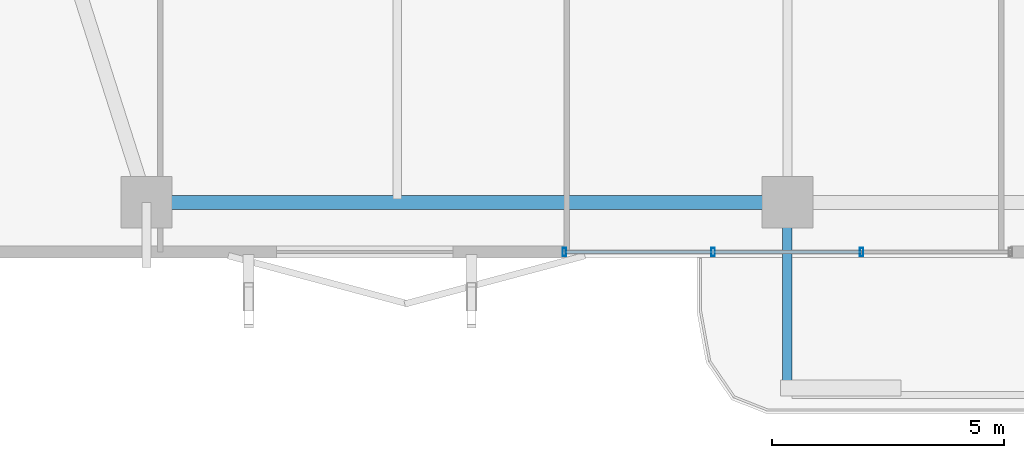
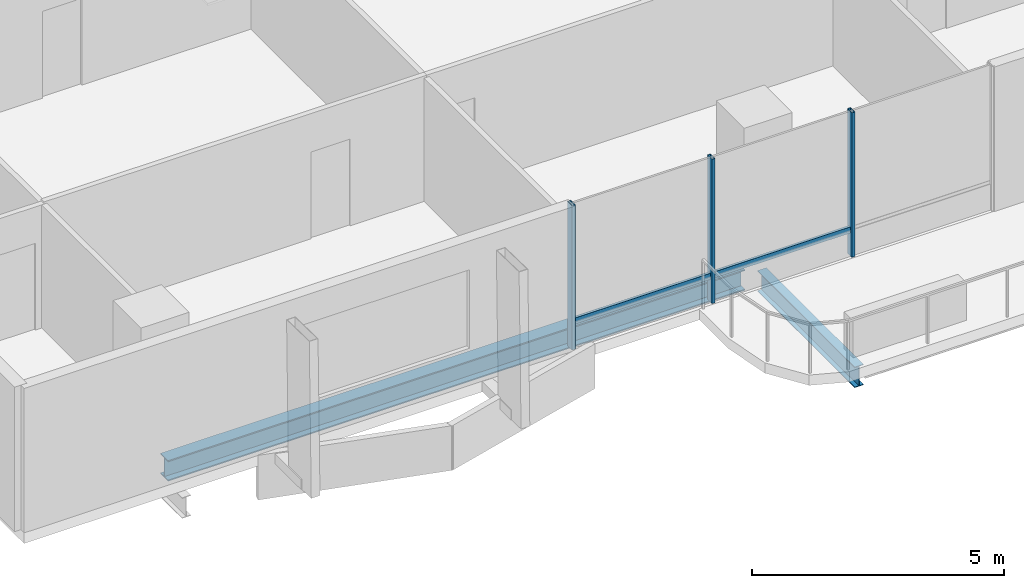
# One storey, part 2 of 24: 5 members, 2 beams, 1 element without a shape of its own.
"""IFC4 building model written with IfcOpenShell, lengths in metres."""

import ifcopenshell
import ifcopenshell.guid

model = None  # the IFC model being written
_history = None  # IfcOwnerHistory: only IFC2X3 demands one
_inside = {}  # id of a spatial element -> (the spatial element, [elements in it])
_under = {}  # id of a project, library or spatial element -> (it, [spatial elements below it])
_declared = {}  # id of a project -> (the project, [libraries it declares])
_typed = {}  # id of a type object -> (the type object, [elements of that type])
_made_of = {}  # id of a material, layer set ... -> (it, [elements and type objects made of it])


def new_model(schema):
    """Start an empty IFC model of exactly this schema.

    Asked for "IFC4X3", IfcOpenShell would pick the latest addendum, in which some entities
    have other attributes; the version numbers below select the first issue.
    IFC2X3 requires an IfcOwnerHistory on every rooted entity: one is made here for all.
    """
    global model, _history
    if schema == "IFC4X3":
        model = ifcopenshell.file(schema_version=(4, 3, 0, 0))
    else:
        model = ifcopenshell.file(schema=schema)
    _inside.clear()
    _under.clear()
    _declared.clear()
    _typed.clear()
    _made_of.clear()
    _history = None
    if model.schema == "IFC2X3":
        org = make("IfcOrganization", Name="unknown")
        user = make(
            "IfcPersonAndOrganization",
            ThePerson=make("IfcPerson", FamilyName="unknown"),
            TheOrganization=org,
        )
        app = make(
            "IfcApplication",
            ApplicationDeveloper=org,
            Version="unknown",
            ApplicationFullName="unknown",
            ApplicationIdentifier="unknown",
        )
        _history = make(
            "IfcOwnerHistory",
            OwningUser=user,
            OwningApplication=app,
            ChangeAction="ADDED",
            CreationDate=0,
        )
    return model


def make(cls, **values):
    """One entity of the class cls with the attributes given. An attribute that is None is left unset."""
    return model.create_entity(
        cls, **{name: value for name, value in values.items() if value is not None}
    )


def rooted(cls, **values):
    """An entity with a GlobalId (a new one), such as an element, a storey or a relation."""
    return make(cls, GlobalId=ifcopenshell.guid.new(), OwnerHistory=_history, **values)


def si_unit(unit_type, name, prefix=None):
    """IfcSIUnit, for example si_unit("LENGTHUNIT", "METRE", prefix="MILLI")."""
    return make("IfcSIUnit", UnitType=unit_type, Prefix=prefix, Name=name)


def assignment(units):
    """IfcUnitAssignment: the units of a project."""
    return None if units is None else make("IfcUnitAssignment", Units=units)


def point(xyz):
    """IfcCartesianPoint."""
    return None if xyz is None else make("IfcCartesianPoint", Coordinates=xyz)


def direction(xyz):
    """IfcDirection."""
    return None if xyz is None else make("IfcDirection", DirectionRatios=xyz)


def frame(location, z_axis=None, x_axis=None):
    """IfcAxis2Placement3D, a coordinate frame: its origin and axes. An axis left out is left unset."""
    return make(
        "IfcAxis2Placement3D",
        Location=point(location),
        Axis=direction(z_axis),
        RefDirection=direction(x_axis),
    )


def frame_2d(location, x_axis=None):
    """IfcAxis2Placement2D, a coordinate frame in the plane: its origin and x axis."""
    return make(
        "IfcAxis2Placement2D", Location=point(location), RefDirection=direction(x_axis)
    )


def origin():
    """The frame at (0, 0, 0) with its axes left unset."""
    return frame((0.0, 0.0, 0.0))


def origin_2d():
    """The frame at (0, 0) in the plane with its x axis left unset."""
    return frame_2d((0.0, 0.0))


def place(relative_to, where):
    """IfcLocalPlacement: puts the frame where relative to a parent placement (None: the world)."""
    return make(
        "IfcLocalPlacement", PlacementRelTo=relative_to, RelativePlacement=where
    )


def context(
    kind, dimensions, precision=None, world=None, true_north=None, identifier=None
):
    """IfcGeometricRepresentationContext, for example the 3D "Model" context."""
    return make(
        "IfcGeometricRepresentationContext",
        ContextIdentifier=identifier,
        ContextType=kind,
        CoordinateSpaceDimension=dimensions,
        Precision=precision,
        WorldCoordinateSystem=world,
        TrueNorth=true_north,
    )


def subcontext(parent, identifier, kind, view, scale=None):
    """IfcGeometricRepresentationSubContext, for example "Body" below "Model"."""
    return make(
        "IfcGeometricRepresentationSubContext",
        ContextIdentifier=identifier,
        ContextType=kind,
        ParentContext=parent,
        TargetScale=scale,
        TargetView=view,
    )


def project(units=None, contexts=None):
    """IfcProject with its units and contexts."""
    return rooted(
        "IfcProject",
        Name="project",
        RepresentationContexts=contexts,
        UnitsInContext=assignment(units),
    )


def spatial(cls, under=None, at=None, **own):
    """A site, building, storey or space (cls), placed at a placement, below another one or the project."""
    s = rooted(cls, ObjectPlacement=at, **own)
    if under is not None:
        _under.setdefault(under.id(), (under, []))[1].append(s)
    return s


def profile(cls, at=None, kind="AREA", **sizes):
    """A parametric profile (cls). Its sizes go by their IFC names, for example OverallWidth=200.0."""
    return make(cls, ProfileType=kind, Position=at, **sizes)


def hollow_rectangle(**sizes):
    """IfcRectangleHollowProfileDef."""
    return profile("IfcRectangleHollowProfileDef", **sizes)


def i_section(**sizes):
    """IfcIShapeProfileDef."""
    return profile("IfcIShapeProfileDef", **sizes)


def extrude(swept, where, along, depth):
    """IfcExtrudedAreaSolid: the profile swept, set in the frame where, extruded along a direction by depth."""
    return make(
        "IfcExtrudedAreaSolid",
        SweptArea=swept,
        Position=where,
        ExtrudedDirection=direction(along),
        Depth=depth,
    )


def shape(context_of_items, identifier, shape_type, items):
    """IfcShapeRepresentation: the items that make up one representation, for example the "Body"."""
    return make(
        "IfcShapeRepresentation",
        ContextOfItems=context_of_items,
        RepresentationIdentifier=identifier,
        RepresentationType=shape_type,
        Items=items,
    )


def material(Name=None, Category=None):
    """IfcMaterial."""
    return make("IfcMaterial", Name=Name, Category=Category)


def layer(
    of_material, thickness, ventilated=None, Name=None, Category=None, Priority=None
):
    """IfcMaterialLayer: one layer of a wall or slab, of a material (None: an air gap)."""
    return make(
        "IfcMaterialLayer",
        Material=of_material,
        LayerThickness=thickness,
        IsVentilated=ventilated,
        Name=Name,
        Category=Category,
        Priority=Priority,
    )


def layer_set(layers, Name=None):
    """IfcMaterialLayerSet."""
    return make("IfcMaterialLayerSet", MaterialLayers=layers, LayerSetName=Name)


def material_profile(
    of_material, cross_section, Name=None, Category=None, Priority=None
):
    """IfcMaterialProfile: a cross section and its material."""
    return make(
        "IfcMaterialProfile",
        Name=Name,
        Material=of_material,
        Profile=cross_section,
        Priority=Priority,
        Category=Category,
    )


def profile_set(profiles, Name=None, composite=None):
    """IfcMaterialProfileSet."""
    return make(
        "IfcMaterialProfileSet",
        Name=Name,
        MaterialProfiles=profiles,
        CompositeProfile=composite,
    )


def made_of(thing, what):
    """Note that an element or type object is made of a material, layer set ...; save() writes the relation."""
    if what is not None:
        _made_of.setdefault(what.id(), (what, []))[1].append(thing)
    return thing


def type_object(cls, material=None, **own):
    """A type object (cls), such as IfcWallType, which elements share."""
    return made_of(rooted(cls, **own), material)


def element(
    cls,
    number,
    at=None,
    inside=None,
    cuts=None,
    type_object=None,
    material=None,
    context=None,
    identifier="Body",
    shape_type=None,
    held_by="IfcProductDefinitionShape",
    body=None,
    shapes=None,
    **own,
):
    """One element of the class cls, such as IfcWall. Its Tag is "e" and its number.

    at: its placement. inside: the storey or other place that contains it. cuts: it is an
    opening in that element (IfcRelVoidsElement). A single representation is given by context,
    identifier, shape_type and body (its items); several are given by shapes. held_by: the class
    of the entity that holds the representations. save() writes the other relations.
    """
    e = rooted(cls, Tag="e%d" % number, ObjectPlacement=at, **own)
    if body is not None:
        shapes = [shape(context, identifier, shape_type, body)]
    if shapes is not None:
        e.Representation = make(held_by, Representations=shapes)
    if inside is not None:
        _inside.setdefault(inside.id(), (inside, []))[1].append(e)
    if cuts is not None:
        rooted(
            "IfcRelVoidsElement", RelatingBuildingElement=cuts, RelatedOpeningElement=e
        )
    if type_object is not None:
        _typed.setdefault(type_object.id(), (type_object, []))[1].append(e)
    return made_of(e, material)


def aggregate(whole, parts):
    """IfcRelAggregates: a whole, such as a stair, and the parts it consists of."""
    return rooted("IfcRelAggregates", RelatingObject=whole, RelatedObjects=parts)


def save(model, path):
    """Write the relations noted so far, then the file.

    IfcRelAggregates (storeys below a building ...), IfcRelContainedInSpatialStructure (elements
    in a storey), IfcRelDefinesByType, IfcRelAssociatesMaterial and IfcRelDeclares: one each for
    every whole, place, type object, material and project.
    """
    for whole, parts in _under.values():
        aggregate(whole, parts)
    for where, things in _inside.values():
        rooted(
            "IfcRelContainedInSpatialStructure",
            RelatedElements=things,
            RelatingStructure=where,
        )
    for kind, things in _typed.values():
        rooted("IfcRelDefinesByType", RelatedObjects=things, RelatingType=kind)
    for what, things in _made_of.values():
        rooted("IfcRelAssociatesMaterial", RelatedObjects=things, RelatingMaterial=what)
    for by, libraries in _declared.values():
        rooted("IfcRelDeclares", RelatingContext=by, RelatedDefinitions=libraries)
    model.write(path)


model = new_model("IFC4")

# Units and contexts
model_context = context("Model", 3, precision=1e-05, world=origin(), true_north=direction((0.0, 1.0)))
body_context = subcontext(model_context, "Body", "Model", "MODEL_VIEW")
ifc_project = project(units=[si_unit("LENGTHUNIT", "METRE"), si_unit("AREAUNIT", "SQUARE_METRE"), si_unit("VOLUMEUNIT", "CUBIC_METRE"), si_unit("PLANEANGLEUNIT", "RADIAN"), si_unit("MASSUNIT", "GRAM", prefix="KILO")], contexts=[model_context])

# Site, building, storey
site_placement = place(None, origin())
site = spatial("IfcSite", under=ifc_project, at=site_placement, CompositionType="ELEMENT")
building_placement = place(site_placement, origin())
building = spatial("IfcBuilding", under=site, at=building_placement, Name="Belovzor Exchange Tower", CompositionType="ELEMENT")
storey_placement = place(building_placement, frame((0.0, 0.0, 168.300048828125)))
storey = spatial("IfcBuildingStorey", under=building, at=storey_placement, Name="L41", CompositionType="ELEMENT", Elevation=168.300048828125)

# Beam
ifc_material_1 = material(Name="Steel S355", Category="steel")
ifc_material_profile_1 = material_profile(ifc_material_1, i_section(OverallWidth=0.199951171875, OverallDepth=0.5, WebThickness=0.01025390625, FlangeThickness=0.01611328125, at=origin_2d()))
ifc_profile_set_1 = profile_set([ifc_material_profile_1], Name="Steel S355")
beam_type_1 = type_object("IfcBeamType", Name="Planted Balcony Cantilever Beam IPE 500", PredefinedType="BEAM", material=ifc_profile_set_1)
beam_1_placement = place(storey_placement, frame((28.800048828125, 5.39697265625, -0.505126953125), z_axis=(0.0, -1.0, 0.0), x_axis=(1.0, 0.0, 0.0)))
element("IfcBeam", 1, at=beam_1_placement, inside=storey, type_object=beam_type_1, Name="BC-500 Planted Balcony Cantilever Beam IPE 500", PredefinedType="BEAM", context=body_context, shape_type="SweptSolid", body=[
    extrude(i_section(OverallWidth=0.199951171875, OverallDepth=0.5, WebThickness=0.01025390625, FlangeThickness=0.01611328125, at=origin_2d()), origin(), (0.0, 0.0, 1.0), 3.849853515625),
])

# Curtain wall, members
ifc_material_2 = material(Name="Anodised Aluminium Framing", Category="aluminium")
ifc_layer = layer(ifc_material_2, 0.179931640625)
ifc_layer_set = layer_set([ifc_layer], Name="Anodised Aluminium Framing")
curtain_wall_type = type_object("IfcCurtainWallType", Name="Recessed Loggia Low-Iron Triple-Glazed Curtain Wall", PredefinedType="NOTDEFINED", material=ifc_layer_set)
curtain_wall_placement = place(storey_placement, origin())
curtain_wall = element("IfcCurtainWall", 2, at=curtain_wall_placement, inside=storey, type_object=curtain_wall_type, Name="CW3 Recessed Loggia Low-Iron Triple-Glazed Curtain Wall L41", PredefinedType="NOTDEFINED")
ifc_material_3 = material(Name="Steel S355", Category="steel")
ifc_material_profile_2 = material_profile(ifc_material_3, hollow_rectangle(XDim=0.074951171875, YDim=0.179931640625, WallThickness=0.0048828125, at=origin_2d()))
ifc_profile_set_2 = profile_set([ifc_material_profile_2], Name="Steel S355")
member_type_1 = type_object("IfcMemberType", Name="Thermally Broken Curtain Wall Mullion 180x75", PredefinedType="MULLION", material=ifc_profile_set_2)
member_1_placement = place(storey_placement, frame((30.39990234375, 4.6298828125, 0.0), z_axis=(0.0, 0.0, 1.0), x_axis=(-1.0, 0.0, 0.0)))
member_1 = element("IfcMember", 3, at=member_1_placement, type_object=member_type_1, Name="CW-M180 Curtain Wall Mullion 2", PredefinedType="MULLION", context=body_context, shape_type="SweptSolid", body=[
    extrude(hollow_rectangle(XDim=0.074951171875, YDim=0.179931640625, WallThickness=0.0048828125, at=origin_2d()), origin(), (0.0, 0.0, 1.0), 3.494873046875),
])
member_2_placement = place(storey_placement, frame((27.199951171875, 4.6298828125, 0.0), z_axis=(0.0, 0.0, 1.0), x_axis=(-1.0, 0.0, 0.0)))
member_2 = element("IfcMember", 4, at=member_2_placement, type_object=member_type_1, Name="CW-M180 Curtain Wall Mullion 3", PredefinedType="MULLION", context=body_context, shape_type="SweptSolid", body=[
    extrude(hollow_rectangle(XDim=0.074951171875, YDim=0.179931640625, WallThickness=0.0048828125, at=origin_2d()), origin(), (0.0, 0.0, 1.0), 3.494873046875),
])
member_3_placement = place(storey_placement, frame((24.0, 4.6298828125, 0.0), z_axis=(0.0, 0.0, 1.0), x_axis=(-1.0, 0.0, 0.0)))
member_3 = element("IfcMember", 5, at=member_3_placement, type_object=member_type_1, Name="CW-M180 Curtain Wall Mullion 4", PredefinedType="MULLION", context=body_context, shape_type="SweptSolid", body=[
    extrude(hollow_rectangle(XDim=0.074951171875, YDim=0.179931640625, WallThickness=0.0048828125, at=origin_2d()), origin(), (0.0, 0.0, 1.0), 3.494873046875),
])
ifc_material_4 = material(Name="Steel S355", Category="steel")
ifc_material_profile_3 = material_profile(ifc_material_4, hollow_rectangle(XDim=0.06005859375, YDim=0.14990234375, WallThickness=0.00390625, at=origin_2d()))
ifc_profile_set_3 = profile_set([ifc_material_profile_3], Name="Steel S355")
member_type_2 = type_object("IfcMemberType", Name="Thermally Broken Curtain Wall Transom 150x60", PredefinedType="USERDEFINED", material=ifc_profile_set_3)
member_4_placement = place(storey_placement, frame((30.39208984375, 4.6298828125, 0.62890625), z_axis=(-1.0, 0.0, 0.0), x_axis=(0.0, -1.0, 0.0)))
member_4 = element("IfcMember", 6, at=member_4_placement, type_object=member_type_2, Name="CW-T150 Curtain Wall Transom 2", ObjectType="TRANSOM", PredefinedType="USERDEFINED", context=body_context, shape_type="SweptSolid", body=[
    extrude(hollow_rectangle(XDim=0.06005859375, YDim=0.14990234375, WallThickness=0.00390625, at=origin_2d()), origin(), (0.0, 0.0, 1.0), 3.18408203125),
])
member_5_placement = place(storey_placement, frame((27.19189453125, 4.6298828125, 0.62890625), z_axis=(-1.0, 0.0, 0.0), x_axis=(0.0, -1.0, 0.0)))
member_5 = element("IfcMember", 7, at=member_5_placement, type_object=member_type_2, Name="CW-T150 Curtain Wall Transom 3", ObjectType="TRANSOM", PredefinedType="USERDEFINED", context=body_context, shape_type="SweptSolid", body=[
    extrude(hollow_rectangle(XDim=0.06005859375, YDim=0.14990234375, WallThickness=0.00390625, at=origin_2d()), origin(), (0.0, 0.0, 1.0), 3.183837890625),
])
aggregate(curtain_wall, [member_1, member_2, member_3, member_4, member_5])

# Beam
ifc_material_5 = material(Name="Steel S355", Category="steel")
ifc_material_profile_4 = material_profile(ifc_material_5, i_section(OverallWidth=0.300048828125, OverallDepth=0.5, WebThickness=0.014404296875, FlangeThickness=0.028076171875, at=origin_2d()))
ifc_profile_set_4 = profile_set([ifc_material_profile_4], Name="Steel S355")
beam_type_2 = type_object("IfcBeamType", Name="Zone 3 Waist Primary Girder HEB 500", PredefinedType="BEAM", material=ifc_profile_set_4)
beam_2_placement = place(storey_placement, frame((15.302978515625, 5.699951171875, -0.505126953125), z_axis=(1.0, 0.0, 0.0), x_axis=(0.0, 1.0, 0.0)))
element("IfcBeam", 8, at=beam_2_placement, inside=storey, type_object=beam_type_2, Name="FG-Z3 Zone 3 Waist Primary Girder HEB 500", PredefinedType="BEAM", context=body_context, shape_type="SweptSolid", body=[
    extrude(i_section(OverallWidth=0.300048828125, OverallDepth=0.5, WebThickness=0.014404296875, FlangeThickness=0.028076171875, at=origin_2d()), origin(), (0.0, 0.0, 1.0), 13.195068359375),
])

save(model, "model.ifc")
